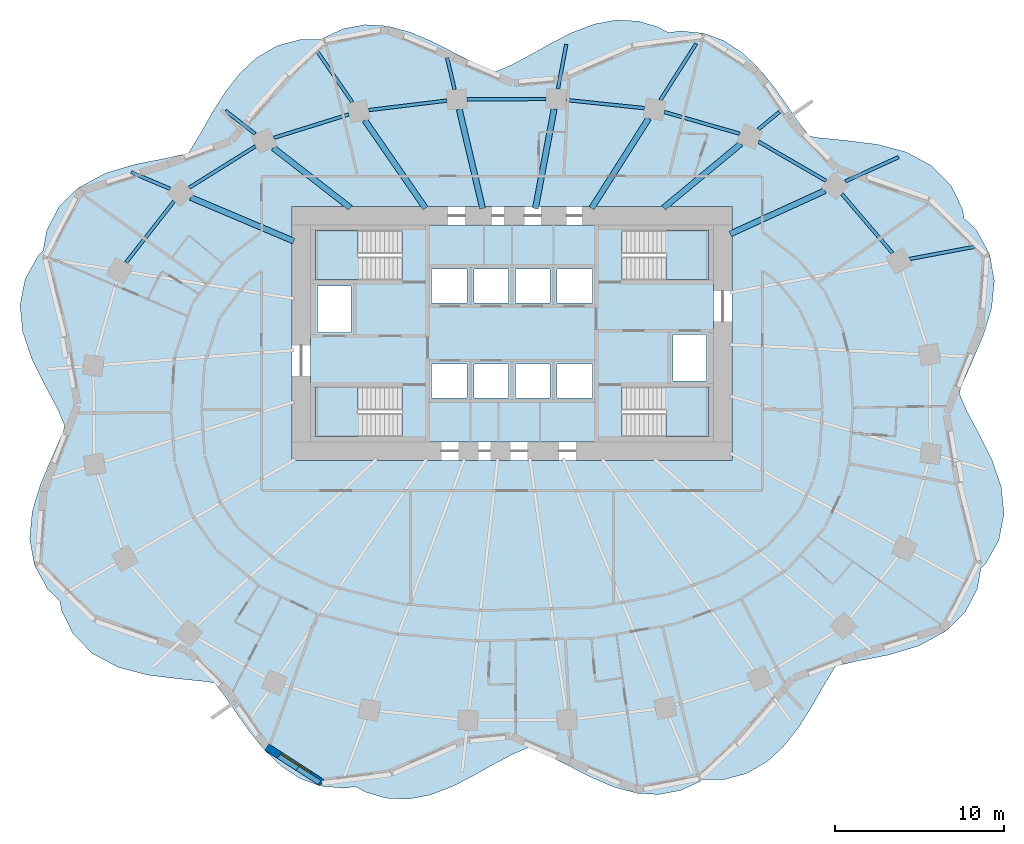
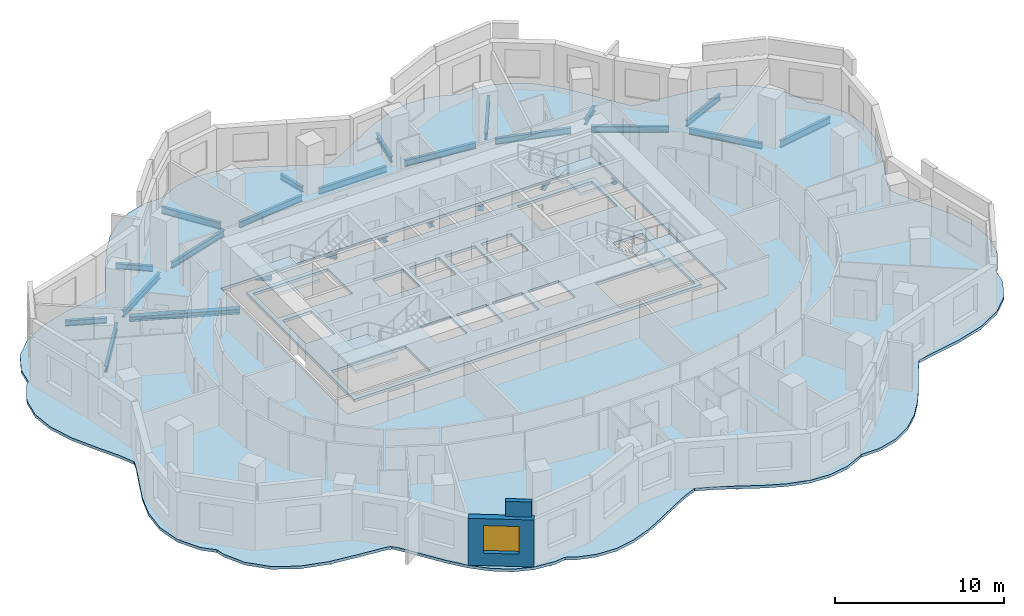
# One storey, part 2 of 10: 26 beams, 6 slabs, 2 walls, 1 window, 1 opening, 4 elements without a shape of their own.
"""IFC4 building model written with IfcOpenShell, lengths in metres."""

from ifc_helpers import new_model, si_unit, direction, frame, frame_2d, origin, origin_2d, place, context, subcontext, project, spatial, polyline, rectangle, i_section, outline, extrude, material, layer, layer_set, material_profile, profile_set, type_object, element, fill, aggregate, save


model = new_model("IFC4")

# Units and contexts
model_context = context("Model", 3, precision=1e-05, world=origin(), true_north=direction((0.0, 1.0)))
body_context = subcontext(model_context, "Body", "Model", "MODEL_VIEW")
ifc_project = project(units=[si_unit("LENGTHUNIT", "METRE"), si_unit("AREAUNIT", "SQUARE_METRE"), si_unit("VOLUMEUNIT", "CUBIC_METRE"), si_unit("PLANEANGLEUNIT", "RADIAN"), si_unit("MASSUNIT", "GRAM", prefix="KILO")], contexts=[model_context])

# Site, building, storey
site_placement = place(None, origin())
site = spatial("IfcSite", under=ifc_project, at=site_placement, CompositionType="ELEMENT")
building_placement = place(site_placement, origin())
building = spatial("IfcBuilding", under=site, at=building_placement, Name="Rubra Terraces Tower", CompositionType="ELEMENT")
storey_placement = place(building_placement, frame((0.0, 0.0, 110.39990234375)))
storey = spatial("IfcBuildingStorey", under=building, at=storey_placement, Name="L26", CompositionType="ELEMENT", Elevation=110.39990234375)

# Beams
ifc_material_1 = material(Name="Steel Q355B", Category="steel")
ifc_material_profile_1 = material_profile(ifc_material_1, i_section(OverallWidth=0.199951171875, OverallDepth=0.39990234375, WebThickness=0.008056640625, FlangeThickness=0.012939453125, at=origin_2d()), Name="HN 400x200x8x13")
ifc_profile_set_1 = profile_set([ifc_material_profile_1], Name="Steel Q355B")
beam_type_1 = type_object("IfcBeamType", Name="CANTILEVER BEAM HN 400x200x8x13", PredefinedType="BEAM", material=ifc_profile_set_1)
beam_1_placement = place(storey_placement, frame((14.56201171875, 16.56689453125, -0.39990234375), z_axis=(0.770244348371, 0.637748887732, 0.0), x_axis=(-0.637748887732, 0.770244348371, 0.0)))
element("IfcBeam", 1, at=beam_1_placement, inside=storey, type_object=beam_type_1, Name="beam-L26-cant-04", PredefinedType="BEAM", context=body_context, shape_type="SweptSolid", body=[
    extrude(i_section(OverallWidth=0.199951171875, OverallDepth=0.39990234375, WebThickness=0.008056640625, FlangeThickness=0.012939453125, at=origin_2d()), origin(), (0.0, 0.0, 1.0), 1.599365234375),
])
beam_2_placement = place(storey_placement, frame((2.714111328125, 18.952880859375, -0.39990234375), z_axis=(0.184553440076, 0.982822480286, 0.0), x_axis=(-0.982822480286, 0.184553440076, 0.0)))
element("IfcBeam", 2, at=beam_2_placement, inside=storey, type_object=beam_type_1, Name="beam-L26-cant-06", PredefinedType="BEAM", context=body_context, shape_type="SweptSolid", body=[
    extrude(i_section(OverallWidth=0.199951171875, OverallDepth=0.39990234375, WebThickness=0.008056640625, FlangeThickness=0.012939453125, at=origin_2d()), origin(), (0.0, 0.0, 1.0), 2.6708984375),
])
beam_3_placement = place(storey_placement, frame((-3.39306640625, 18.922119140625, -0.39990234375), z_axis=(-0.229110356951, 0.973400454252, 0.0), x_axis=(-0.973400454252, -0.229110356951, 0.0)))
element("IfcBeam", 3, at=beam_3_placement, inside=storey, type_object=beam_type_1, Name="beam-L26-cant-07", PredefinedType="BEAM", context=body_context, shape_type="SweptSolid", body=[
    extrude(i_section(OverallWidth=0.199951171875, OverallDepth=0.39990234375, WebThickness=0.008056640625, FlangeThickness=0.012939453125, at=origin_2d()), origin(), (0.0, 0.0, 1.0), 1.916015625),
])
beam_4_placement = place(storey_placement, frame((-15.177001953125, 16.2958984375, -0.39990234375), z_axis=(-0.789558697971, 0.613675046306, 0.0), x_axis=(-0.613675046306, -0.789558697971, 0.0)))
element("IfcBeam", 4, at=beam_4_placement, inside=storey, type_object=beam_type_1, Name="beam-L26-cant-09", PredefinedType="BEAM", context=body_context, shape_type="SweptSolid", body=[
    extrude(i_section(OverallWidth=0.199951171875, OverallDepth=0.39990234375, WebThickness=0.008056640625, FlangeThickness=0.012939453125, at=origin_2d()), origin(), (0.0, 0.0, 1.0), 2.227783203125),
])
beam_5_placement = place(storey_placement, frame((-20.202880859375, 13.048095703125, -0.39990234375), z_axis=(-0.920967251069, 0.389639990837, 0.0), x_axis=(-0.389639990837, -0.920967251069, 0.0)))
element("IfcBeam", 5, at=beam_5_placement, inside=storey, type_object=beam_type_1, Name="beam-L26-cant-10", PredefinedType="BEAM", context=body_context, shape_type="SweptSolid", body=[
    extrude(i_section(OverallWidth=0.199951171875, OverallDepth=0.39990234375, WebThickness=0.008056640625, FlangeThickness=0.012939453125, at=origin_2d()), origin(), (0.0, 0.0, 1.0), 2.501953125),
])
ifc_material_profile_2 = material_profile(ifc_material_1, i_section(OverallWidth=0.198974609375, OverallDepth=0.446044921875, WebThickness=0.008056640625, FlangeThickness=0.011962890625, at=origin_2d()), Name="HN 446x199x8x12")
ifc_profile_set_2 = profile_set([ifc_material_profile_2], Name="Steel Q355B")
beam_type_2 = type_object("IfcBeamType", Name="CANTILEVER BEAM HN 446x199x8x12", PredefinedType="BEAM", material=ifc_profile_set_2)
beam_6_placement = place(storey_placement, frame((19.697998046875, 13.485107421875, -0.4228515625), z_axis=(0.909753013399, 0.415149918236, 0.0), x_axis=(-0.415149918236, 0.909753013399, 0.0)))
element("IfcBeam", 6, at=beam_6_placement, inside=storey, type_object=beam_type_2, Name="beam-L26-cant-03", PredefinedType="BEAM", context=body_context, shape_type="SweptSolid", body=[
    extrude(i_section(OverallWidth=0.198974609375, OverallDepth=0.446044921875, WebThickness=0.008056640625, FlangeThickness=0.011962890625, at=origin_2d()), origin(), (0.0, 0.0, 1.0), 3.453857421875),
])
ifc_material_profile_3 = material_profile(ifc_material_1, i_section(OverallWidth=0.198974609375, OverallDepth=0.49609375, WebThickness=0.009033203125, FlangeThickness=0.013916015625, at=origin_2d()), Name="HN 496x199x9x14")
ifc_profile_set_3 = profile_set([ifc_material_profile_3], Name="Steel Q355B")
beam_type_3 = type_object("IfcBeamType", Name="CANTILEVER BEAM HN 496x199x9x14", PredefinedType="BEAM", material=ifc_profile_set_3)
beam_7_placement = place(storey_placement, frame((23.5009765625, 8.904052734375, -0.447998046875), z_axis=(0.982931701767, 0.183970839159, 0.0), x_axis=(-0.183970839159, 0.982931701767, 0.0)))
element("IfcBeam", 7, at=beam_7_placement, inside=storey, type_object=beam_type_3, Name="beam-L26-cant-02", PredefinedType="BEAM", context=body_context, shape_type="SweptSolid", body=[
    extrude(i_section(OverallWidth=0.198974609375, OverallDepth=0.49609375, WebThickness=0.009033203125, FlangeThickness=0.013916015625, at=origin_2d()), origin(), (0.0, 0.0, 1.0), 3.8974609375),
])
beam_8_placement = place(storey_placement, frame((8.76806640625, 18.29296875, -0.447998046875), z_axis=(0.536383526096, 0.843974355613, 0.0), x_axis=(-0.843974355613, 0.536383526096, 0.0)))
element("IfcBeam", 8, at=beam_8_placement, inside=storey, type_object=beam_type_3, Name="beam-L26-cant-05", PredefinedType="BEAM", context=body_context, shape_type="SweptSolid", body=[
    extrude(i_section(OverallWidth=0.198974609375, OverallDepth=0.49609375, WebThickness=0.009033203125, FlangeThickness=0.013916015625, at=origin_2d()), origin(), (0.0, 0.0, 1.0), 3.950439453125),
])
beam_9_placement = place(storey_placement, frame((-9.431884765625, 18.158935546875, -0.447998046875), z_axis=(-0.568196775226, 0.822892717566, 0.0), x_axis=(-0.822892717566, -0.568196775226, 0.0)))
element("IfcBeam", 9, at=beam_9_placement, inside=storey, type_object=beam_type_3, Name="beam-L26-cant-08", PredefinedType="BEAM", context=body_context, shape_type="SweptSolid", body=[
    extrude(i_section(OverallWidth=0.198974609375, OverallDepth=0.49609375, WebThickness=0.009033203125, FlangeThickness=0.013916015625, at=origin_2d()), origin(), (0.0, 0.0, 1.0), 3.8984375),
])
ifc_material_profile_4 = material_profile(ifc_material_1, i_section(OverallWidth=0.35009765625, OverallDepth=0.35009765625, WebThickness=0.011962890625, FlangeThickness=0.01904296875, at=origin_2d()), Name="HW 350x350x12x19")
ifc_profile_set_4 = profile_set([ifc_material_profile_4], Name="Steel Q355B")
beam_type_4 = type_object("IfcBeamType", Name="FLOOR BEAM HW 350x350x12x19", PredefinedType="BEAM", material=ifc_profile_set_4)
beam_10_placement = place(storey_placement, frame((18.486083984375, 12.93310546875, -0.375), z_axis=(-0.909749612827, -0.415157370116, 0.0), x_axis=(0.415157370116, -0.909749612827, 0.0)))
element("IfcBeam", 10, at=beam_10_placement, inside=storey, type_object=beam_type_4, Name="beam-L26-floor-03", PredefinedType="BEAM", context=body_context, shape_type="SweptSolid", body=[
    extrude(i_section(OverallWidth=0.35009765625, OverallDepth=0.35009765625, WebThickness=0.011962890625, FlangeThickness=0.01904296875, at=origin_2d()), origin(), (0.0, 0.0, 1.0), 6.14990234375),
])
beam_11_placement = place(storey_placement, frame((13.52197265625, 15.705078125, -0.375), z_axis=(-0.769987448283, -0.638059032917, 0.0), x_axis=(0.638059032917, -0.769987448283, 0.0)))
element("IfcBeam", 11, at=beam_11_placement, inside=storey, type_object=beam_type_4, Name="beam-L26-floor-04", PredefinedType="BEAM", context=body_context, shape_type="SweptSolid", body=[
    extrude(i_section(OverallWidth=0.35009765625, OverallDepth=0.35009765625, WebThickness=0.011962890625, FlangeThickness=0.01904296875, at=origin_2d()), origin(), (0.0, 0.0, 1.0), 5.92724609375),
])
beam_12_placement = place(storey_placement, frame((8.075927734375, 17.205078125, -0.375), z_axis=(-0.536468405163, -0.843920405169, 0.0), x_axis=(0.843920405169, -0.536468405163, 0.0)))
element("IfcBeam", 12, at=beam_12_placement, inside=storey, type_object=beam_type_4, Name="beam-L26-floor-05", PredefinedType="BEAM", context=body_context, shape_type="SweptSolid", body=[
    extrude(i_section(OverallWidth=0.35009765625, OverallDepth=0.35009765625, WebThickness=0.011962890625, FlangeThickness=0.01904296875, at=origin_2d()), origin(), (0.0, 0.0, 1.0), 6.28759765625),
])
beam_13_placement = place(storey_placement, frame((2.489990234375, 17.762939453125, -0.375), z_axis=(-0.184505318504, -0.982831515288, 0.0), x_axis=(0.982831515288, -0.184505318504, 0.0)))
element("IfcBeam", 13, at=beam_13_placement, inside=storey, type_object=beam_type_4, Name="beam-L26-floor-06", PredefinedType="BEAM", context=body_context, shape_type="SweptSolid", body=[
    extrude(i_section(OverallWidth=0.35009765625, OverallDepth=0.35009765625, WebThickness=0.011962890625, FlangeThickness=0.01904296875, at=origin_2d()), origin(), (0.0, 0.0, 1.0), 5.983642578125),
])
beam_14_placement = place(storey_placement, frame((-3.114990234375, 17.738037109375, -0.375), z_axis=(0.229084580284, -0.973406520975, 0.0), x_axis=(0.973406520975, 0.229084580284, 0.0)))
element("IfcBeam", 14, at=beam_14_placement, inside=storey, type_object=beam_type_4, Name="beam-L26-floor-07", PredefinedType="BEAM", context=body_context, shape_type="SweptSolid", body=[
    extrude(i_section(OverallWidth=0.35009765625, OverallDepth=0.35009765625, WebThickness=0.011962890625, FlangeThickness=0.01904296875, at=origin_2d()), origin(), (0.0, 0.0, 1.0), 6.014892578125),
])
beam_15_placement = place(storey_placement, frame((-8.694091796875, 17.091064453125, -0.375), z_axis=(0.568116443955, -0.822948179479, 0.0), x_axis=(0.822948179479, 0.568116443955, 0.0)))
element("IfcBeam", 15, at=beam_15_placement, inside=storey, type_object=beam_type_4, Name="beam-L26-floor-08", PredefinedType="BEAM", context=body_context, shape_type="SweptSolid", body=[
    extrude(i_section(OverallWidth=0.35009765625, OverallDepth=0.35009765625, WebThickness=0.011962890625, FlangeThickness=0.01904296875, at=origin_2d()), origin(), (0.0, 0.0, 1.0), 6.306884765625),
])
beam_16_placement = place(storey_placement, frame((-14.10888671875, 15.466064453125, -0.375), z_axis=(0.789514006973, -0.613732541742, 0.0), x_axis=(0.613732541742, 0.789514006973, 0.0)))
element("IfcBeam", 16, at=beam_16_placement, inside=storey, type_object=beam_type_4, Name="beam-L26-floor-09", PredefinedType="BEAM", context=body_context, shape_type="SweptSolid", body=[
    extrude(i_section(OverallWidth=0.35009765625, OverallDepth=0.35009765625, WebThickness=0.011962890625, FlangeThickness=0.01904296875, at=origin_2d()), origin(), (0.0, 0.0, 1.0), 5.76806640625),
])
beam_17_placement = place(storey_placement, frame((-18.98291015625, 12.531982421875, -0.375), z_axis=(0.920986092, -0.389595454726, 0.0), x_axis=(0.389595454726, 0.920986092, 0.0)))
element("IfcBeam", 17, at=beam_17_placement, inside=storey, type_object=beam_type_4, Name="beam-L26-floor-10", PredefinedType="BEAM", context=body_context, shape_type="SweptSolid", body=[
    extrude(i_section(OverallWidth=0.35009765625, OverallDepth=0.35009765625, WebThickness=0.011962890625, FlangeThickness=0.01904296875, at=origin_2d()), origin(), (0.0, 0.0, 1.0), 6.61669921875),
])
ifc_material_profile_5 = material_profile(ifc_material_1, i_section(OverallWidth=0.198974609375, OverallDepth=0.446044921875, WebThickness=0.008056640625, FlangeThickness=0.011962890625, at=origin_2d()), Name="HN 446x199x8x12")
ifc_profile_set_5 = profile_set([ifc_material_profile_5], Name="Steel Q355B")
beam_type_5 = type_object("IfcBeamType", Name="SPANDREL BEAM HN 446x199x8x12", PredefinedType="SPANDREL", material=ifc_profile_set_5)
beam_18_placement = place(storey_placement, frame((22.48095703125, 9.251953125, -0.4228515625), z_axis=(-0.650428637413, 0.759567368726, 0.0), x_axis=(-0.759567368726, -0.650428637413, 0.0)))
element("IfcBeam", 18, at=beam_18_placement, inside=storey, type_object=beam_type_5, Name="beam-L26-spandrel-02", PredefinedType="SPANDREL", context=body_context, shape_type="SweptSolid", body=[
    extrude(i_section(OverallWidth=0.198974609375, OverallDepth=0.446044921875, WebThickness=0.008056640625, FlangeThickness=0.011962890625, at=origin_2d()), origin(), (0.0, 0.0, 1.0), 4.6015625),
])
beam_19_placement = place(storey_placement, frame((18.56494140625, 13.513916015625, -0.4228515625), z_axis=(-0.865116425734, 0.501571101565, 0.0), x_axis=(-0.501571101565, -0.865116425734, 0.0)))
element("IfcBeam", 19, at=beam_19_placement, inside=storey, type_object=beam_type_5, Name="beam-L26-spandrel-03", PredefinedType="SPANDREL", context=body_context, shape_type="SweptSolid", body=[
    extrude(i_section(OverallWidth=0.198974609375, OverallDepth=0.446044921875, WebThickness=0.008056640625, FlangeThickness=0.011962890625, at=origin_2d()), origin(), (0.0, 0.0, 1.0), 4.62353515625),
])
beam_20_placement = place(storey_placement, frame((13.4609375, 16.302978515625, -0.4228515625), z_axis=(-0.961195652649, 0.275867572085, 0.0), x_axis=(-0.275867572085, -0.961195652649, 0.0)))
element("IfcBeam", 20, at=beam_20_placement, inside=storey, type_object=beam_type_5, Name="beam-L26-spandrel-04", PredefinedType="SPANDREL", context=body_context, shape_type="SweptSolid", body=[
    extrude(i_section(OverallWidth=0.198974609375, OverallDepth=0.446044921875, WebThickness=0.008056640625, FlangeThickness=0.011962890625, at=origin_2d()), origin(), (0.0, 0.0, 1.0), 4.639892578125),
])
beam_21_placement = place(storey_placement, frame((7.822998046875, 17.81201171875, -0.4228515625), z_axis=(-0.994588599148, 0.103891859374, 0.0), x_axis=(-0.103891859374, -0.994588599148, 0.0)))
element("IfcBeam", 21, at=beam_21_placement, inside=storey, type_object=beam_type_5, Name="beam-L26-spandrel-05", PredefinedType="SPANDREL", context=body_context, shape_type="SweptSolid", body=[
    extrude(i_section(OverallWidth=0.198974609375, OverallDepth=0.446044921875, WebThickness=0.008056640625, FlangeThickness=0.011962890625, at=origin_2d()), origin(), (0.0, 0.0, 1.0), 4.648193359375),
])
beam_22_placement = place(storey_placement, frame((2.0009765625, 18.35498046875, -0.4228515625), z_axis=(-0.99998885538, -0.004721135025, 0.0), x_axis=(0.004721135025, -0.99998885538, 0.0)))
element("IfcBeam", 22, at=beam_22_placement, inside=storey, type_object=beam_type_5, Name="beam-L26-spandrel-06", PredefinedType="SPANDREL", context=body_context, shape_type="SweptSolid", body=[
    extrude(i_section(OverallWidth=0.198974609375, OverallDepth=0.446044921875, WebThickness=0.008056640625, FlangeThickness=0.011962890625, at=origin_2d()), origin(), (0.0, 0.0, 1.0), 4.654052734375),
])
beam_23_placement = place(storey_placement, frame((-3.85107421875, 18.258056640625, -0.4228515625), z_axis=(-0.992713612833, -0.120497646851, 0.0), x_axis=(0.120497646851, -0.992713612833, 0.0)))
element("IfcBeam", 23, at=beam_23_placement, inside=storey, type_object=beam_type_5, Name="beam-L26-spandrel-07", PredefinedType="SPANDREL", context=body_context, shape_type="SweptSolid", body=[
    extrude(i_section(OverallWidth=0.198974609375, OverallDepth=0.446044921875, WebThickness=0.008056640625, FlangeThickness=0.011962890625, at=origin_2d()), origin(), (0.0, 0.0, 1.0), 4.64794921875),
])
beam_24_placement = place(storey_placement, frame((-9.637939453125, 17.445068359375, -0.4228515625), z_axis=(-0.954462184919, -0.298331925142, 0.0), x_axis=(0.298331925142, -0.954462184919, 0.0)))
element("IfcBeam", 24, at=beam_24_placement, inside=storey, type_object=beam_type_5, Name="beam-L26-spandrel-08", PredefinedType="SPANDREL", context=body_context, shape_type="SweptSolid", body=[
    extrude(i_section(OverallWidth=0.198974609375, OverallDepth=0.446044921875, WebThickness=0.008056640625, FlangeThickness=0.011962890625, at=origin_2d()), origin(), (0.0, 0.0, 1.0), 4.63916015625),
])
beam_25_placement = place(storey_placement, frame((-15.156005859375, 15.56103515625, -0.4228515625), z_axis=(-0.848188188849, -0.529695003089, 0.0), x_axis=(0.529695003089, -0.848188188849, 0.0)))
element("IfcBeam", 25, at=beam_25_placement, inside=storey, type_object=beam_type_5, Name="beam-L26-spandrel-09", PredefinedType="SPANDREL", context=body_context, shape_type="SweptSolid", body=[
    extrude(i_section(OverallWidth=0.198974609375, OverallDepth=0.446044921875, WebThickness=0.008056640625, FlangeThickness=0.011962890625, at=origin_2d()), origin(), (0.0, 0.0, 1.0), 4.62158203125),
])
beam_26_placement = place(storey_placement, frame((-19.968994140625, 12.31103515625, -0.4228515625), z_axis=(-0.61694919408, -0.787002980886, 0.0), x_axis=(0.787002980886, -0.61694919408, 0.0)))
element("IfcBeam", 26, at=beam_26_placement, inside=storey, type_object=beam_type_5, Name="beam-L26-spandrel-10", PredefinedType="SPANDREL", context=body_context, shape_type="SweptSolid", body=[
    extrude(i_section(OverallWidth=0.198974609375, OverallDepth=0.446044921875, WebThickness=0.008056640625, FlangeThickness=0.011962890625, at=origin_2d()), origin(), (0.0, 0.0, 1.0), 4.599853515625),
])

# Slab
ifc_material_2 = material(Name="Concrete C40", Category="concrete")
ifc_layer_1 = layer(ifc_material_2, 0.199951171875)
ifc_layer_set_1 = layer_set([ifc_layer_1], Name="Concrete C40")
slab_type_1 = type_object("IfcSlabType", Name="Core floor slab 200 concrete", PredefinedType="FLOOR", material=ifc_layer_set_1)
slab_1_placement = place(storey_placement, frame((0.0, 0.0, -0.199951171875)))
element("IfcSlab", 27, at=slab_1_placement, inside=storey, type_object=slab_type_1, Name="CORE FLOOR SLAB L26", PredefinedType="FLOOR", context=body_context, shape_type="SweptSolid", body=[
    extrude(outline(polyline([(-11.89990234375, -1.89990234375), (-11.89990234375, 10.89990234375), (11.89990234375, 10.89990234375), (11.89990234375, -1.89990234375), (-11.89990234375, -1.89990234375)]), holes=[polyline([(11.597900390625, 1.347900390625), (6.501953125, 1.347900390625), (6.501953125, -1.597900390625), (11.597900390625, -1.597900390625), (11.597900390625, 1.347900390625)]), polyline([(11.597900390625, 7.652099609375), (11.597900390625, 10.597900390625), (6.501953125, 10.597900390625), (6.501953125, 7.652099609375), (11.597900390625, 7.652099609375)]), polyline([(9.5, 1.699951171875), (11.5, 1.699951171875), (11.5, 4.449951171875), (9.5, 4.449951171875), (9.5, 1.699951171875)]), polyline([(4.75, 0.699951171875), (4.75, 2.699951171875), (2.64990234375, 2.699951171875), (2.64990234375, 0.699951171875), (4.75, 0.699951171875)]), polyline([(4.75, 6.300048828125), (4.75, 8.300048828125), (2.64990234375, 8.300048828125), (2.64990234375, 6.300048828125), (4.75, 6.300048828125)]), polyline([(2.25, 0.699951171875), (2.25, 2.699951171875), (0.199951171875, 2.699951171875), (0.199951171875, 0.699951171875), (2.25, 0.699951171875)]), polyline([(2.25, 6.300048828125), (2.25, 8.300048828125), (0.199951171875, 8.300048828125), (0.199951171875, 6.300048828125), (2.25, 6.300048828125)]), polyline([(-0.199951171875, 0.699951171875), (-0.199951171875, 2.699951171875), (-2.25, 2.699951171875), (-2.25, 0.699951171875), (-0.199951171875, 0.699951171875)]), polyline([(-0.199951171875, 6.300048828125), (-0.199951171875, 8.300048828125), (-2.25, 8.300048828125), (-2.25, 6.300048828125), (-0.199951171875, 6.300048828125)]), polyline([(-2.64990234375, 0.699951171875), (-2.64990234375, 2.699951171875), (-4.75, 2.699951171875), (-4.75, 0.699951171875), (-2.64990234375, 0.699951171875)]), polyline([(-2.64990234375, 8.300048828125), (-4.75, 8.300048828125), (-4.75, 6.300048828125), (-2.64990234375, 6.300048828125), (-2.64990234375, 8.300048828125)]), polyline([(-11.597900390625, -1.597900390625), (-6.501953125, -1.597900390625), (-6.501953125, 1.347900390625), (-11.597900390625, 1.347900390625), (-11.597900390625, -1.597900390625)]), polyline([(-11.597900390625, 10.597900390625), (-11.597900390625, 7.652099609375), (-6.501953125, 7.652099609375), (-6.501953125, 10.597900390625), (-11.597900390625, 10.597900390625)]), polyline([(-9.5, 4.550048828125), (-9.5, 7.300048828125), (-11.5, 7.300048828125), (-11.5, 4.550048828125), (-9.5, 4.550048828125)])]), origin(), (0.0, 0.0, 1.0), 0.199951171875),
])

# Stair, slab
stair_type = type_object("IfcStairType", Name="Core stair 1400", PredefinedType="HALF_TURN_STAIR", material=ifc_material_2)
stair_1_placement = place(storey_placement, origin())
stair_1 = element("IfcStair", 28, at=stair_1_placement, inside=storey, type_object=stair_type, Name="L26 Exit stair S1", PredefinedType="HALF_TURN_STAIR")
ifc_layer_2 = layer(ifc_material_2, 0.199951171875)
ifc_layer_set_2 = layer_set([ifc_layer_2], Name="Concrete C40")
slab_type_2 = type_object("IfcSlabType", Name="Core stair landing 200", PredefinedType="LANDING", material=ifc_layer_set_2)
slab_2_placement = place(storey_placement, frame((0.0, 0.0, 1.60009765625)))
slab_2 = element("IfcSlab", 29, at=slab_2_placement, type_object=slab_type_2, Name="S1 landing 1", PredefinedType="LANDING", context=body_context, shape_type="SweptSolid", body=[
    extrude(outline(polyline([(-8.719970703125, -0.199951171875), (-8.719970703125, -1.60009765625), (-9.10009765625, -1.60009765625), (-9.1201171875, -1.60009765625), (-11.60009765625, -1.60009765625), (-11.60009765625, 1.35009765625), (-9.1201171875, 1.35009765625), (-9.097900390625, 1.35009765625), (-9.097900390625, -0.050048828125), (-9.10009765625, -0.050048828125), (-9.10009765625, -0.199951171875), (-8.719970703125, -0.199951171875)])), origin(), (0.0, 0.0, 1.0), 0.199951171875),
])
aggregate(stair_1, [slab_2])

stair_2_placement = place(storey_placement, origin())
stair_2 = element("IfcStair", 30, at=stair_2_placement, inside=storey, type_object=stair_type, Name="L26 Exit stair S2", PredefinedType="HALF_TURN_STAIR")
slab_3_placement = place(storey_placement, frame((0.0, 0.0, 1.60009765625)))
slab_3 = element("IfcSlab", 31, at=slab_3_placement, type_object=slab_type_2, Name="S2 landing 1", PredefinedType="LANDING", context=body_context, shape_type="SweptSolid", body=[
    extrude(outline(polyline([(-8.719970703125, 9.050048828125), (-8.719970703125, 7.64990234375), (-9.1201171875, 7.64990234375), (-11.60009765625, 7.64990234375), (-11.60009765625, 10.60009765625), (-9.1201171875, 10.60009765625), (-9.10009765625, 10.60009765625), (-9.097900390625, 10.60009765625), (-9.097900390625, 9.199951171875), (-9.10009765625, 9.199951171875), (-9.10009765625, 9.050048828125), (-8.719970703125, 9.050048828125)])), origin(), (0.0, 0.0, 1.0), 0.199951171875),
])
aggregate(stair_2, [slab_3])

stair_3_placement = place(storey_placement, origin())
stair_3 = element("IfcStair", 32, at=stair_3_placement, inside=storey, type_object=stair_type, Name="L26 Exit stair S3", PredefinedType="HALF_TURN_STAIR")
slab_4_placement = place(storey_placement, frame((0.0, 0.0, 1.60009765625)))
slab_4 = element("IfcSlab", 33, at=slab_4_placement, type_object=slab_type_2, Name="S3 landing 1", PredefinedType="LANDING", context=body_context, shape_type="SweptSolid", body=[
    extrude(outline(polyline([(9.10009765625, 9.050048828125), (9.10009765625, 9.199951171875), (8.719970703125, 9.199951171875), (8.719970703125, 10.60009765625), (9.10009765625, 10.60009765625), (9.1201171875, 10.60009765625), (11.60009765625, 10.60009765625), (11.60009765625, 7.64990234375), (9.1201171875, 7.64990234375), (9.097900390625, 7.64990234375), (9.097900390625, 9.050048828125), (9.10009765625, 9.050048828125)])), origin(), (0.0, 0.0, 1.0), 0.199951171875),
])
aggregate(stair_3, [slab_4])

stair_4_placement = place(storey_placement, origin())
stair_4 = element("IfcStair", 34, at=stair_4_placement, inside=storey, type_object=stair_type, Name="L26 Exit stair S4", PredefinedType="HALF_TURN_STAIR")
slab_5_placement = place(storey_placement, frame((0.0, 0.0, 1.60009765625)))
slab_5 = element("IfcSlab", 35, at=slab_5_placement, type_object=slab_type_2, Name="S4 landing 1", PredefinedType="LANDING", context=body_context, shape_type="SweptSolid", body=[
    extrude(outline(polyline([(9.10009765625, -0.199951171875), (9.10009765625, -0.050048828125), (8.719970703125, -0.050048828125), (8.719970703125, 1.35009765625), (9.10009765625, 1.35009765625), (9.1201171875, 1.35009765625), (11.60009765625, 1.35009765625), (11.60009765625, -1.60009765625), (9.1201171875, -1.60009765625), (9.10009765625, -1.60009765625), (9.097900390625, -1.60009765625), (9.097900390625, -0.199951171875), (9.10009765625, -0.199951171875)])), origin(), (0.0, 0.0, 1.0), 0.199951171875),
])
aggregate(stair_4, [slab_5])

# Slab
ifc_layer_3 = layer(ifc_material_2, 0.199951171875)
ifc_layer_set_3 = layer_set([ifc_layer_3], Name="Concrete C40")
slab_type_3 = type_object("IfcSlabType", Name="FLOOR SLAB 200 COMPOSITE", PredefinedType="FLOOR", material=ifc_layer_set_3)
slab_6_placement = place(storey_placement, frame((0.0, 0.0, -0.199951171875)))
element("IfcSlab", 36, at=slab_6_placement, inside=storey, type_object=slab_type_3, Name="FLOOR SLAB L26", PredefinedType="FLOOR", context=body_context, shape_type="SweptSolid", body=[
    extrude(outline(polyline([(-3.528076171875, -22.27490234375), (-2.3291015625, -21.662109375), (-1.156005859375, -20.9990234375), (0.0, -20.383056640625), (0.97802734375, -19.965087890625), (1.10009765625, -19.9990234375), (2.2060546875, -20.471923828125), (3.3330078125, -21.044921875), (4.64990234375, -21.718994140625), (5.9990234375, -22.298095703125), (7.364990234375, -22.66796875), (8.68798828125, -22.74609375), (9.969970703125, -22.5029296875), (11.180908203125, -21.943115234375), (11.287109375, -21.865966796875), (12.552978515625, -21.85595703125), (13.886962890625, -21.4951171875), (15.10009765625, -20.782958984375), (16.069091796875, -19.883056640625), (16.9140625, -18.81005859375), (17.65087890625, -17.65087890625), (18.34912109375, -16.429931640625), (19.02294921875, -15.304931640625), (19.14306640625, -15.14306640625), (20.443115234375, -14.85302734375), (22.22412109375, -14.506103515625), (24.031982421875, -13.967041015625), (25.6650390625, -13.076904296875), (26.780029296875, -11.968994140625), (27.4951171875, -10.587890625), (27.708984375, -9.381103515625), (28.0, -9.097900390625), (28.77099609375, -7.715087890625), (29.072021484375, -6.176025390625), (28.912109375, -4.5791015625), (28.365966796875, -2.970947265625), (27.60498046875, -1.447998046875), (26.8330078125, 0.0), (26.429931640625, 0.955078125), (26.56689453125, 1.409912109375), (27.200927734375, 2.863037109375), (27.864990234375, 4.4130859375), (28.345947265625, 6.0), (28.501953125, 7.617919921875), (28.22607421875, 9.1708984375), (27.449951171875, 10.60400390625), (26.719970703125, 11.302001953125), (26.618896484375, 11.860107421875), (25.9541015625, 13.22412109375), (24.791015625, 14.4169921875), (23.280029296875, 15.22412109375), (21.576904296875, 15.677001953125), (19.7109375, 15.906982421875), (17.967041015625, 16.08203125), (17.56591796875, 16.169921875), (16.9560546875, 16.9560546875), (16.235107421875, 18.0), (15.468017578125, 19.083984375), (14.62109375, 20.1240234375), (13.6298828125, 21.072998046875), (12.529052734375, 21.798095703125), (11.3330078125, 22.240966796875), (9.931884765625, 22.3759765625), (8.489013671875, 22.1650390625), (9.2470703125, 22.27587890625), (8.634033203125, 22.60888671875), (7.4599609375, 22.958984375), (6.156982421875, 23.02197265625), (4.837890625, 22.77490234375), (3.528076171875, 22.27490234375), (2.3291015625, 21.662109375), (1.156005859375, 20.9990234375), (0.0, 20.383056640625), (-0.97802734375, 19.965087890625), (-1.10009765625, 19.9990234375), (-2.2060546875, 20.471923828125), (-3.3330078125, 21.044921875), (-4.64990234375, 21.718994140625), (-5.9990234375, 22.298095703125), (-7.364990234375, 22.66796875), (-8.68798828125, 22.74609375), (-9.969970703125, 22.5029296875), (-11.180908203125, 21.943115234375), (-11.287109375, 21.865966796875), (-12.552978515625, 21.85595703125), (-13.886962890625, 21.4951171875), (-15.10009765625, 20.782958984375), (-16.069091796875, 19.883056640625), (-16.9140625, 18.81005859375), (-17.65087890625, 17.65087890625), (-18.34912109375, 16.429931640625), (-19.02294921875, 15.304931640625), (-19.14306640625, 15.14306640625), (-20.443115234375, 14.85302734375), (-22.22412109375, 14.506103515625), (-24.031982421875, 13.967041015625), (-25.6650390625, 13.076904296875), (-26.780029296875, 11.968994140625), (-27.4951171875, 10.587890625), (-27.708984375, 9.381103515625), (-28.0, 9.097900390625), (-28.77099609375, 7.715087890625), (-29.072021484375, 6.176025390625), (-28.912109375, 4.5791015625), (-28.365966796875, 2.970947265625), (-27.60498046875, 1.447998046875), (-26.8330078125, 0.0), (-26.429931640625, -0.955078125), (-26.56689453125, -1.409912109375), (-27.200927734375, -2.863037109375), (-27.864990234375, -4.4130859375), (-28.345947265625, -6.0), (-28.501953125, -7.617919921875), (-28.22607421875, -9.1708984375), (-27.449951171875, -10.60400390625), (-26.719970703125, -11.302001953125), (-26.618896484375, -11.860107421875), (-25.9541015625, -13.22412109375), (-24.791015625, -14.4169921875), (-23.280029296875, -15.22412109375), (-21.576904296875, -15.677001953125), (-19.7109375, -15.906982421875), (-17.967041015625, -16.08203125), (-17.56591796875, -16.169921875), (-16.9560546875, -16.9560546875), (-16.235107421875, -18.0), (-15.468017578125, -19.083984375), (-14.62109375, -20.1240234375), (-13.6298828125, -21.072998046875), (-12.529052734375, -21.798095703125), (-11.3330078125, -22.240966796875), (-9.931884765625, -22.3759765625), (-8.489013671875, -22.1650390625), (-9.2470703125, -22.27587890625), (-8.634033203125, -22.60888671875), (-7.4599609375, -22.958984375), (-6.156982421875, -23.02197265625), (-4.837890625, -22.77490234375), (-3.528076171875, -22.27490234375)]), holes=[polyline([(13.0, 12.0), (13.0, -3.0), (-13.0, -3.0), (-13.0, 12.0), (13.0, 12.0)])]), origin(), (0.0, 0.0, 1.0), 0.199951171875),
])

# Wall, opening, window
ifc_material_3 = material(Name="Brick masonry red-brown", Category="masonry")
ifc_layer_4 = layer(ifc_material_3, 0.449951171875)
ifc_layer_set_4 = layer_set([ifc_layer_4], Name="Brick masonry red-brown")
wall_type_1 = type_object("IfcWallType", Name="Brick facade wall 450", PredefinedType="SOLIDWALL", material=ifc_layer_set_4)
wall_1_placement = place(storey_placement, frame((-14.499267578125, -19.934814453125, 0.0), z_axis=(0.0, 0.0, 1.0), x_axis=(0.84080910763, -0.541331732422, 0.0)))
wall_1 = element("IfcWall", 37, at=wall_1_placement, inside=storey, type_object=wall_type_1, Name="Facade wall L26 bay 27", PredefinedType="SOLIDWALL", context=body_context, shape_type="SweptSolid", body=[
    extrude(rectangle(XDim=3.91064453125, YDim=0.449951171875, at=frame_2d((1.955322265625, 0.0))), origin(), (0.0, 0.0, 1.0), 3.400146484375),
])
opening_placement = place(wall_1_placement, frame((0.9052734375, 0.0, 0.89990234375)))
opening = element("IfcOpeningElement", 38, at=opening_placement, cuts=wall_1, Name="Opening W1", PredefinedType="OPENING", context=body_context, shape_type="SweptSolid", body=[
    extrude(rectangle(XDim=2.10009765625, YDim=2.0, at=frame_2d((1.050048828125, 1.0))), frame((0.0, 0.23486328125, 0.0), z_axis=(0.0, -1.0, 0.0), x_axis=(1.0, 0.0, 0.0)), (0.0, 0.0, 1.0), 0.469970703125),
])
ifc_material_4 = material(Name="Clear glass in aluminium frame", Category="aluminium")
window_type = type_object("IfcWindowType", Name="Fixed deep-set window 2100 x 2000", PartitioningType="SINGLE_PANEL", PredefinedType="WINDOW", material=ifc_material_4)
window_placement = place(opening_placement, origin())
window = element("IfcWindow", 39, at=window_placement, inside=storey, type_object=window_type, Name="Window L26 bay 27", OverallHeight=2.0, OverallWidth=2.10009765625, PartitioningType="SINGLE_PANEL", PredefinedType="WINDOW", context=body_context, shape_type="SweptSolid", body=[
    extrude(rectangle(XDim=2.10009765625, YDim=2.0, at=frame_2d((1.050048828125, 1.0))), frame((0.0, 0.135009765625, 0.0), z_axis=(0.0, -1.0, 0.0), x_axis=(1.0, 0.0, 0.0)), (0.0, 0.0, 1.0), 0.06005859375),
])
fill(opening, window)

# Wall
ifc_layer_5 = layer(ifc_material_3, 0.300048828125)
ifc_layer_set_5 = layer_set([ifc_layer_5], Name="Brick masonry red-brown")
wall_type_2 = type_object("IfcWallType", Name="Brick parapet 300", PredefinedType="PARAPET", material=ifc_layer_set_5)
wall_2_placement = place(storey_placement, frame((-12.680419921875, -21.195068359375, 3.60009765625), z_axis=(0.0, 0.0, 1.0), x_axis=(0.840806975541, -0.541335044018, 0.0)))
element("IfcWall", 40, at=wall_2_placement, inside=storey, type_object=wall_type_2, Name="Parapet L26 bay 27", PredefinedType="PARAPET", context=body_context, shape_type="SweptSolid", body=[
    extrude(rectangle(XDim=1.5595703125, YDim=0.300048828125, at=frame_2d((0.77978515625, 0.0))), origin(), (0.0, 0.0, 1.0), 1.10009765625),
])

save(model, "model.ifc")
